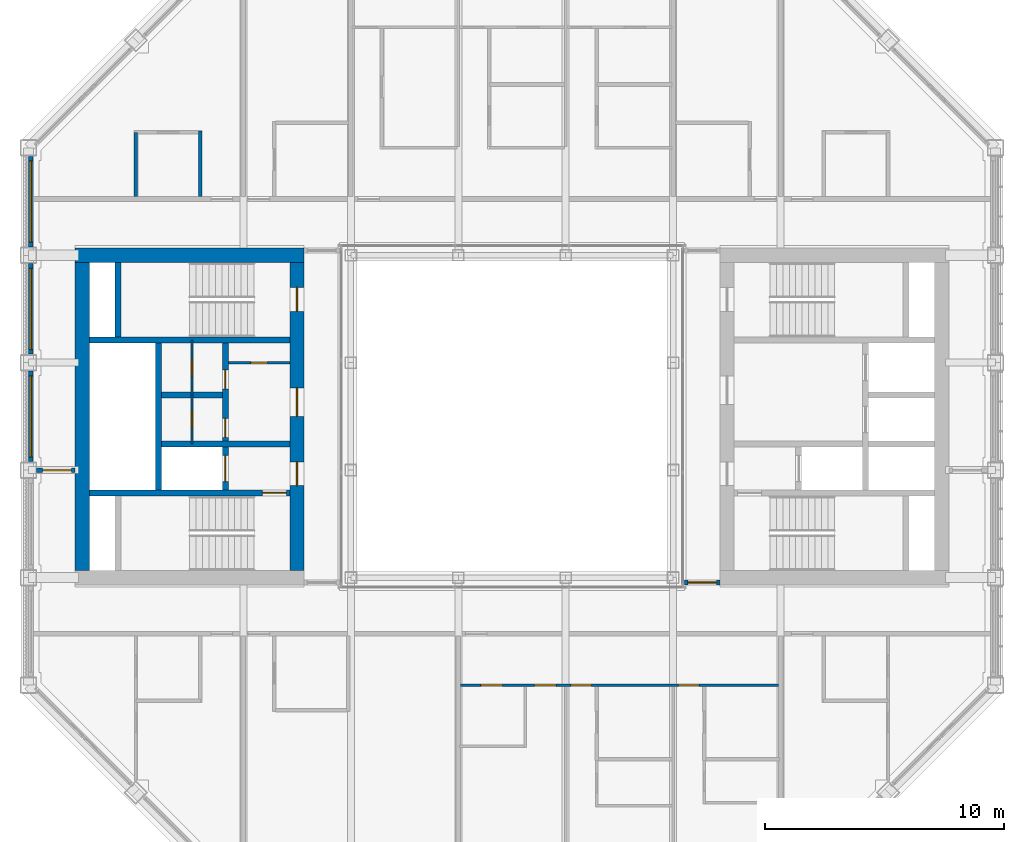
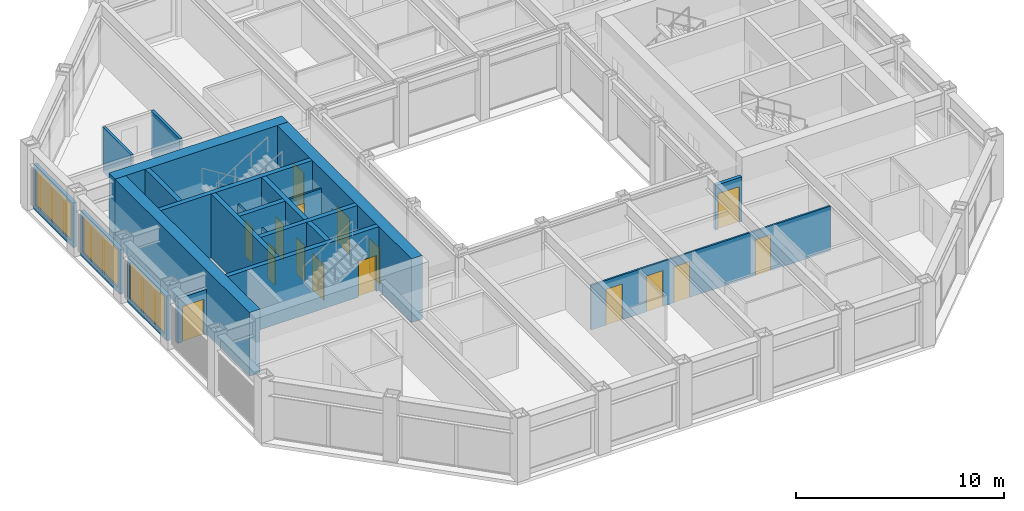
# One storey, part 10 of 17: 21 walls, 16 doors, 3 windows, 19 openings.
"""IFC4 building model written with IfcOpenShell, lengths in metres."""

from ifc_helpers import new_model, si_unit, direction, frame, frame_2d, origin, place, context, subcontext, project, spatial, rectangle, extrude, material, layer, layer_set, type_object, element, fill, save


model = new_model("IFC4")

# Units and contexts
model_context = context("Model", 3, precision=1e-05, world=origin(), true_north=direction((0.0, 1.0)))
body_context = subcontext(model_context, "Body", "Model", "MODEL_VIEW")
ifc_project = project(units=[si_unit("LENGTHUNIT", "METRE"), si_unit("AREAUNIT", "SQUARE_METRE"), si_unit("VOLUMEUNIT", "CUBIC_METRE"), si_unit("PLANEANGLEUNIT", "RADIAN"), si_unit("MASSUNIT", "GRAM", prefix="KILO")], contexts=[model_context])

# Site, building, storey
site_placement = place(None, origin())
site = spatial("IfcSite", under=ifc_project, at=site_placement, CompositionType="ELEMENT")
building_placement = place(site_placement, origin())
building = spatial("IfcBuilding", under=site, at=building_placement, Name="Msasa Ring Tower", CompositionType="ELEMENT")
storey_placement = place(building_placement, frame((0.0, 0.0, 242.050048828125)))
storey = spatial("IfcBuildingStorey", under=building, at=storey_placement, Name="L63", CompositionType="ELEMENT", Elevation=242.050048828125)

# Wall
ifc_material_1 = material(Name="Concrete C60/75", Category="concrete")
ifc_layer_1 = layer(ifc_material_1, 0.60009765625)
ifc_layer_set_1 = layer_set([ifc_layer_1], Name="CW3 CORE WALL 600")
wall_type_1 = type_object("IfcWallType", Name="CW3 CORE WALL 600", PredefinedType="SHEAR", material=ifc_layer_set_1)
wall_1_placement = place(storey_placement, frame((-8.699951171875, 6.75, 0.0), z_axis=(0.0, 0.0, 1.0), x_axis=(-1.0, 0.0, 0.0)))
element("IfcWall", 1, at=wall_1_placement, inside=storey, type_object=wall_type_1, Name="W core wall N L63", PredefinedType="SHEAR", context=body_context, shape_type="SweptSolid", body=[
    extrude(rectangle(XDim=9.60009765625, YDim=0.60009765625, at=frame_2d((4.800048828125, 0.0))), origin(), (0.0, 0.0, 1.0), 3.75),
])

# Wall, openings, doors
wall_2_placement = place(storey_placement, frame((-9.0, -6.449951171875, 0.0), z_axis=(0.0, 0.0, 1.0), x_axis=(0.0, 1.0, 0.0)))
wall_2 = element("IfcWall", 2, at=wall_2_placement, inside=storey, type_object=wall_type_1, Name="W core wall W L63", PredefinedType="SHEAR", context=body_context, shape_type="SweptSolid", body=[
    extrude(rectangle(XDim=12.89990234375, YDim=0.60009765625, at=frame_2d((6.449951171875, 0.0))), origin(), (0.0, 0.0, 1.0), 3.75),
])
opening_1_placement = place(wall_2_placement, frame((3.550048828125, 0.0, 0.0)))
opening_1 = element("IfcOpeningElement", 3, at=opening_1_placement, cuts=wall_2, Name="Opening SD-031", PredefinedType="OPENING", context=body_context, shape_type="SweptSolid", body=[
    extrude(rectangle(XDim=1.0, YDim=2.10009765625, at=frame_2d((0.5, 1.050048828125))), frame((0.0, 0.31005859375, 0.0), z_axis=(0.0, -1.0, 0.0), x_axis=(1.0, 0.0, 0.0)), (0.0, 0.0, 1.0), 0.6201171875),
])
opening_2_placement = place(wall_2_placement, frame((6.449951171875, 0.0, 0.0)))
opening_2 = element("IfcOpeningElement", 4, at=opening_2_placement, cuts=wall_2, Name="Opening SD-026", PredefinedType="OPENING", context=body_context, shape_type="SweptSolid", body=[
    extrude(rectangle(XDim=1.199951171875, YDim=2.10009765625, at=frame_2d((0.60009765625, 1.050048828125))), frame((0.0, 0.31005859375, 0.0), z_axis=(0.0, -1.0, 0.0), x_axis=(1.0, 0.0, 0.0)), (0.0, 0.0, 1.0), 0.6201171875),
])
opening_3_placement = place(wall_2_placement, frame((10.85009765625, 0.0, 0.0)))
opening_3 = element("IfcOpeningElement", 5, at=opening_3_placement, cuts=wall_2, Name="Opening SD-020", PredefinedType="OPENING", context=body_context, shape_type="SweptSolid", body=[
    extrude(rectangle(XDim=1.0, YDim=2.10009765625, at=frame_2d((0.5, 1.050048828125))), frame((0.0, 0.31005859375, 0.0), z_axis=(0.0, -1.0, 0.0), x_axis=(1.0, 0.0, 0.0)), (0.0, 0.0, 1.0), 0.6201171875),
])
ifc_material_2 = material(Name="Timber door leaf in a steel frame", Category="steel")
door_type_1 = type_object("IfcDoorType", Name="D4 LOBBY DOOR 1000x2100", OperationType="SINGLE_SWING_LEFT", PredefinedType="DOOR", material=ifc_material_2)
door_1_placement = place(opening_1_placement, origin())
door_1 = element("IfcDoor", 6, at=door_1_placement, inside=storey, type_object=door_type_1, Name="Door L63-WFFL", OperationType="SINGLE_SWING_LEFT", OverallHeight=2.10009765625, OverallWidth=1.0, PredefinedType="DOOR", context=body_context, shape_type="SweptSolid", body=[
    extrude(rectangle(XDim=1.0, YDim=2.10009765625, at=frame_2d((0.5, 1.050048828125))), frame((0.0, 0.02490234375, 0.0), z_axis=(0.0, -1.0, 0.0), x_axis=(1.0, 0.0, 0.0)), (0.0, 0.0, 1.0), 0.050048828125),
])
fill(opening_1, door_1)
ifc_material_3 = material(Name="Timber door leaf in a steel frame", Category="steel")
door_type_2 = type_object("IfcDoorType", Name="D5 WIDE LOBBY DOOR 1200x2100", OperationType="SINGLE_SWING_LEFT", PredefinedType="DOOR", material=ifc_material_3)
door_2_placement = place(opening_2_placement, origin())
door_2 = element("IfcDoor", 7, at=door_2_placement, inside=storey, type_object=door_type_2, Name="Door L63-WLL", OperationType="SINGLE_SWING_RIGHT", OverallHeight=2.10009765625, OverallWidth=1.199951171875, PredefinedType="DOOR", context=body_context, shape_type="SweptSolid", body=[
    extrude(rectangle(XDim=1.199951171875, YDim=2.10009765625, at=frame_2d((0.60009765625, 1.050048828125))), frame((0.0, 0.02490234375, 0.0), z_axis=(0.0, -1.0, 0.0), x_axis=(1.0, 0.0, 0.0)), (0.0, 0.0, 1.0), 0.050048828125),
])
fill(opening_2, door_2)
ifc_material_4 = material(Name="Timber door leaf in a steel frame", Category="steel")
door_type_3 = type_object("IfcDoorType", Name="D6 STAIR DOOR 1000x2100", OperationType="SINGLE_SWING_LEFT", PredefinedType="DOOR", material=ifc_material_4)
door_3_placement = place(opening_3_placement, origin())
door_3 = element("IfcDoor", 8, at=door_3_placement, inside=storey, type_object=door_type_3, Name="Door L63-WSTB", OperationType="SINGLE_SWING_RIGHT", OverallHeight=2.10009765625, OverallWidth=1.0, PredefinedType="DOOR", context=body_context, shape_type="SweptSolid", body=[
    extrude(rectangle(XDim=1.0, YDim=2.10009765625, at=frame_2d((0.5, 1.050048828125))), frame((0.0, 0.02490234375, 0.0), z_axis=(0.0, -1.0, 0.0), x_axis=(1.0, 0.0, 0.0)), (0.0, 0.0, 1.0), 0.050048828125),
])
fill(opening_3, door_3)

# Wall
wall_3_placement = place(storey_placement, frame((-18.0, -6.449951171875, 0.0), z_axis=(0.0, 0.0, 1.0), x_axis=(0.0, 1.0, 0.0)))
element("IfcWall", 9, at=wall_3_placement, inside=storey, type_object=wall_type_1, Name="W core wall E L63", PredefinedType="SHEAR", context=body_context, shape_type="SweptSolid", body=[
    extrude(rectangle(XDim=12.89990234375, YDim=0.60009765625, at=frame_2d((6.449951171875, 0.0))), origin(), (0.0, 0.0, 1.0), 3.75),
])

# Wall, opening, door
ifc_material_5 = material(Name="Concrete C60/75", Category="concrete")
ifc_layer_2 = layer(ifc_material_5, 0.25)
ifc_layer_set_2 = layer_set([ifc_layer_2], Name="CW4 CORE INNER WALL 250")
wall_type_2 = type_object("IfcWallType", Name="CW4 CORE INNER WALL 250", PredefinedType="SHEAR", material=ifc_layer_set_2)
wall_4_placement = place(storey_placement, frame((-9.300048828125, -3.199951171875, 0.0), z_axis=(0.0, 0.0, 1.0), x_axis=(-1.0, 0.0, 0.0)))
wall_4 = element("IfcWall", 10, at=wall_4_placement, inside=storey, type_object=wall_type_2, Name="W core wall STAIRA L63", PredefinedType="SHEAR", context=body_context, shape_type="SweptSolid", body=[
    extrude(rectangle(XDim=8.39990234375, YDim=0.25, at=frame_2d((4.199951171875, 0.0))), origin(), (0.0, 0.0, 1.0), 3.75),
])
opening_4_placement = place(wall_4_placement, frame((0.14990234375, 0.0, 0.0)))
opening_4 = element("IfcOpeningElement", 11, at=opening_4_placement, cuts=wall_4, Name="Opening SD-033", PredefinedType="OPENING", context=body_context, shape_type="SweptSolid", body=[
    extrude(rectangle(XDim=1.0, YDim=2.10009765625, at=frame_2d((0.5, 1.050048828125))), frame((0.0, 0.135009765625, 0.0), z_axis=(0.0, -1.0, 0.0), x_axis=(1.0, 0.0, 0.0)), (0.0, 0.0, 1.0), 0.27001953125),
])
door_4_placement = place(opening_4_placement, origin())
door_4 = element("IfcDoor", 12, at=door_4_placement, inside=storey, type_object=door_type_3, Name="Door L63-WSTA", OperationType="SINGLE_SWING_LEFT", OverallHeight=2.10009765625, OverallWidth=1.0, PredefinedType="DOOR", context=body_context, shape_type="SweptSolid", body=[
    extrude(rectangle(XDim=1.0, YDim=2.10009765625, at=frame_2d((0.5, 1.050048828125))), frame((0.0, 0.02490234375, 0.0), z_axis=(0.0, -1.0, 0.0), x_axis=(1.0, 0.0, 0.0)), (0.0, 0.0, 1.0), 0.050048828125),
])
fill(opening_4, door_4)

# Walls
wall_5_placement = place(storey_placement, frame((-9.300048828125, 3.199951171875, 0.0), z_axis=(0.0, 0.0, 1.0), x_axis=(-1.0, 0.0, 0.0)))
element("IfcWall", 13, at=wall_5_placement, inside=storey, type_object=wall_type_2, Name="W core wall STAIRB L63", PredefinedType="SHEAR", context=body_context, shape_type="SweptSolid", body=[
    extrude(rectangle(XDim=8.39990234375, YDim=0.25, at=frame_2d((4.199951171875, 0.0))), origin(), (0.0, 0.0, 1.0), 3.75),
])
wall_6_placement = place(storey_placement, frame((-16.5, 3.324951171875, 0.0), z_axis=(0.0, 0.0, 1.0), x_axis=(0.0, 1.0, 0.0)))
element("IfcWall", 14, at=wall_6_placement, inside=storey, type_object=wall_type_2, Name="W core wall RISERB L63", PredefinedType="SHEAR", context=body_context, shape_type="SweptSolid", body=[
    extrude(rectangle(XDim=3.125, YDim=0.25, at=frame_2d((1.5625, 0.0))), origin(), (0.0, 0.0, 1.0), 3.75),
])
wall_7_placement = place(storey_placement, frame((-9.300048828125, -1.14990234375, 0.0), z_axis=(0.0, 0.0, 1.0), x_axis=(-1.0, 0.0, 0.0)))
element("IfcWall", 15, at=wall_7_placement, inside=storey, type_object=wall_type_2, Name="W core wall FFL L63", PredefinedType="SHEAR", context=body_context, shape_type="SweptSolid", body=[
    extrude(rectangle(XDim=5.375, YDim=0.25, at=frame_2d((2.6875, 0.0))), origin(), (0.0, 0.0, 1.0), 3.75),
])

# Wall, openings, doors
wall_8_placement = place(storey_placement, frame((-12.0, -3.074951171875, 0.0), z_axis=(0.0, 0.0, 1.0), x_axis=(0.0, 1.0, 0.0)))
wall_8 = element("IfcWall", 16, at=wall_8_placement, inside=storey, type_object=wall_type_2, Name="W core wall LOBBY L63", PredefinedType="SHEAR", context=body_context, shape_type="SweptSolid", body=[
    extrude(rectangle(XDim=6.14990234375, YDim=0.25, at=frame_2d((3.074951171875, 0.0))), origin(), (0.0, 0.0, 1.0), 3.75),
])
opening_5_placement = place(wall_8_placement, frame((2.199951171875, 0.0, 0.0)))
opening_5 = element("IfcOpeningElement", 17, at=opening_5_placement, cuts=wall_8, Name="Opening SD-028", PredefinedType="OPENING", context=body_context, shape_type="SweptSolid", body=[
    extrude(rectangle(XDim=0.800048828125, YDim=2.10009765625, at=frame_2d((0.39990234375, 1.050048828125))), frame((0.0, 0.135009765625, 0.0), z_axis=(0.0, -1.0, 0.0), x_axis=(1.0, 0.0, 0.0)), (0.0, 0.0, 1.0), 0.27001953125),
])
opening_6_placement = place(wall_8_placement, frame((4.22509765625, 0.0, 0.0)))
opening_6 = element("IfcOpeningElement", 18, at=opening_6_placement, cuts=wall_8, Name="Opening SD-024", PredefinedType="OPENING", context=body_context, shape_type="SweptSolid", body=[
    extrude(rectangle(XDim=0.800048828125, YDim=2.10009765625, at=frame_2d((0.39990234375, 1.050048828125))), frame((0.0, 0.135009765625, 0.0), z_axis=(0.0, -1.0, 0.0), x_axis=(1.0, 0.0, 0.0)), (0.0, 0.0, 1.0), 0.27001953125),
])
opening_7_placement = place(wall_8_placement, frame((0.35009765625, 0.0, 0.0)))
opening_7 = element("IfcOpeningElement", 19, at=opening_7_placement, cuts=wall_8, Name="Opening LD1", PredefinedType="OPENING", context=body_context, shape_type="SweptSolid", body=[
    extrude(rectangle(XDim=1.10009765625, YDim=2.10009765625, at=frame_2d((0.550048828125, 1.050048828125))), frame((0.0, 0.135009765625, 0.0), z_axis=(0.0, -1.0, 0.0), x_axis=(1.0, 0.0, 0.0)), (0.0, 0.0, 1.0), 0.27001953125),
])
ifc_material_6 = material(Name="Timber door leaf in a steel frame", Category="steel")
door_type_4 = type_object("IfcDoorType", Name="D9 NARROW SERVICE DOOR 800x2100", OperationType="SINGLE_SWING_LEFT", PredefinedType="DOOR", material=ifc_material_6)
door_5_placement = place(opening_5_placement, origin())
door_5 = element("IfcDoor", 20, at=door_5_placement, inside=storey, type_object=door_type_4, Name="Door L63-WR1", OperationType="SINGLE_SWING_LEFT", OverallHeight=2.10009765625, OverallWidth=0.800048828125, PredefinedType="DOOR", context=body_context, shape_type="SweptSolid", body=[
    extrude(rectangle(XDim=0.800048828125, YDim=2.10009765625, at=frame_2d((0.39990234375, 1.050048828125))), frame((0.0, 0.02490234375, 0.0), z_axis=(0.0, -1.0, 0.0), x_axis=(1.0, 0.0, 0.0)), (0.0, 0.0, 1.0), 0.050048828125),
])
fill(opening_5, door_5)
door_6_placement = place(opening_6_placement, origin())
door_6 = element("IfcDoor", 21, at=door_6_placement, inside=storey, type_object=door_type_4, Name="Door L63-WR2", OperationType="SINGLE_SWING_RIGHT", OverallHeight=2.10009765625, OverallWidth=0.800048828125, PredefinedType="DOOR", context=body_context, shape_type="SweptSolid", body=[
    extrude(rectangle(XDim=0.800048828125, YDim=2.10009765625, at=frame_2d((0.39990234375, 1.050048828125))), frame((0.0, 0.02490234375, 0.0), z_axis=(0.0, -1.0, 0.0), x_axis=(1.0, 0.0, 0.0)), (0.0, 0.0, 1.0), 0.050048828125),
])
fill(opening_6, door_6)
ifc_material_7 = material(Name="Stainless steel lift landing door", Category="steel")
door_type_5 = type_object("IfcDoorType", Name="LD1 LIFT LANDING DOOR 1100x2100", OperationType="DOUBLE_DOOR_SLIDING", PredefinedType="DOOR", material=ifc_material_7)
door_7_placement = place(opening_7_placement, origin())
door_7 = element("IfcDoor", 22, at=door_7_placement, inside=storey, type_object=door_type_5, Name="Lift landing door FL-W L63", OperationType="DOUBLE_DOOR_SLIDING", OverallHeight=2.10009765625, OverallWidth=1.10009765625, PredefinedType="DOOR", context=body_context, shape_type="SweptSolid", body=[
    extrude(rectangle(XDim=1.10009765625, YDim=2.10009765625, at=frame_2d((0.550048828125, 1.050048828125))), frame((0.0, 0.02490234375, 0.0), z_axis=(0.0, -1.0, 0.0), x_axis=(1.0, 0.0, 0.0)), (0.0, 0.0, 1.0), 0.050048828125),
])
fill(opening_7, door_7)

# Walls
wall_9_placement = place(storey_placement, frame((-14.800048828125, -3.074951171875, 0.0), z_axis=(0.0, 0.0, 1.0), x_axis=(0.0, 1.0, 0.0)))
element("IfcWall", 23, at=wall_9_placement, inside=storey, type_object=wall_type_2, Name="W core wall SHAFT L63", PredefinedType="SHEAR", context=body_context, shape_type="SweptSolid", body=[
    extrude(rectangle(XDim=6.14990234375, YDim=0.25, at=frame_2d((3.074951171875, 0.0))), origin(), (0.0, 0.0, 1.0), 3.75),
])
wall_10_placement = place(storey_placement, frame((-12.125, 0.89990234375, 0.0), z_axis=(0.0, 0.0, 1.0), x_axis=(-1.0, 0.0, 0.0)))
element("IfcWall", 24, at=wall_10_placement, inside=storey, type_object=wall_type_2, Name="W core wall LIFT1 L63", PredefinedType="SHEAR", context=body_context, shape_type="SweptSolid", body=[
    extrude(rectangle(XDim=2.550048828125, YDim=0.25, at=frame_2d((1.27490234375, 0.0))), origin(), (0.0, 0.0, 1.0), 3.75),
])

# Wall, opening, window
ifc_material_8 = material(Name="Terracotta rainscreen on blockwork", Category="masonry")
ifc_layer_3 = layer(ifc_material_8, 0.199951171875)
ifc_layer_set_3 = layer_set([ifc_layer_3], Name="FW1 TERRACOTTA-LINED INFILL BAY WALL 200")
wall_type_3 = type_object("IfcWallType", Name="FW1 TERRACOTTA-LINED INFILL BAY WALL 200", PredefinedType="SOLIDWALL", material=ifc_layer_set_3)
wall_11_placement = place(storey_placement, frame((-20.14990234375, -1.89501953125, 0.0), z_axis=(0.0, 0.0, 1.0), x_axis=(0.0, 1.0, 0.0)))
wall_11 = element("IfcWall", 25, at=wall_11_placement, inside=storey, type_object=wall_type_3, Name="Infill bay wall W L63 23", PredefinedType="SOLIDWALL", context=body_context, shape_type="SweptSolid", body=[
    extrude(rectangle(XDim=3.7900390625, YDim=0.199951171875, at=frame_2d((1.89501953125, 0.0))), origin(), (0.0, 0.0, 1.0), 2.62890625),
])
opening_8_placement = place(wall_11_placement, frame((0.195068359375, 0.0, 0.300048828125)))
opening_8 = element("IfcOpeningElement", 26, at=opening_8_placement, cuts=wall_11, Name="Opening WN3", PredefinedType="OPENING", context=body_context, shape_type="SweptSolid", body=[
    extrude(rectangle(XDim=3.39990234375, YDim=2.178955078125, at=frame_2d((1.699951171875, 1.08935546875))), frame((0.0, 0.10986328125, 0.0), z_axis=(0.0, -1.0, 0.0), x_axis=(1.0, 0.0, 0.0)), (0.0, 0.0, 1.0), 0.219970703125),
])
ifc_material_9 = material(Name="Aluminium frame with clear glass", Category="aluminium")
window_type = type_object("IfcWindowType", Name="WN3 SUITE WINDOW 3400x2179", PartitioningType="SINGLE_PANEL", PredefinedType="WINDOW", material=ifc_material_9)
window_1_placement = place(opening_8_placement, origin())
window_1 = element("IfcWindow", 27, at=window_1_placement, inside=storey, type_object=window_type, Name="Window W L63 23", OverallHeight=2.178955078125, OverallWidth=3.39990234375, PartitioningType="SINGLE_PANEL", PredefinedType="WINDOW", context=body_context, shape_type="SweptSolid", body=[
    extrude(rectangle(XDim=3.39990234375, YDim=2.178955078125, at=frame_2d((1.699951171875, 1.08935546875))), frame((0.0, 0.030029296875, 0.0), z_axis=(0.0, -1.0, 0.0), x_axis=(1.0, 0.0, 0.0)), (0.0, 0.0, 1.0), 0.06005859375),
])
fill(opening_8, window_1)

wall_12_placement = place(storey_placement, frame((-20.14990234375, 2.60498046875, 0.0), z_axis=(0.0, 0.0, 1.0), x_axis=(0.0, 1.0, 0.0)))
wall_12 = element("IfcWall", 28, at=wall_12_placement, inside=storey, type_object=wall_type_3, Name="Infill bay wall W L63 24", PredefinedType="SOLIDWALL", context=body_context, shape_type="SweptSolid", body=[
    extrude(rectangle(XDim=3.7900390625, YDim=0.199951171875, at=frame_2d((1.89501953125, 0.0))), origin(), (0.0, 0.0, 1.0), 2.62890625),
])
opening_9_placement = place(wall_12_placement, frame((0.195068359375, 0.0, 0.300048828125)))
opening_9 = element("IfcOpeningElement", 29, at=opening_9_placement, cuts=wall_12, Name="Opening WN3", PredefinedType="OPENING", context=body_context, shape_type="SweptSolid", body=[
    extrude(rectangle(XDim=3.39990234375, YDim=2.178955078125, at=frame_2d((1.699951171875, 1.08935546875))), frame((0.0, 0.10986328125, 0.0), z_axis=(0.0, -1.0, 0.0), x_axis=(1.0, 0.0, 0.0)), (0.0, 0.0, 1.0), 0.219970703125),
])
window_2_placement = place(opening_9_placement, origin())
window_2 = element("IfcWindow", 30, at=window_2_placement, inside=storey, type_object=window_type, Name="Window W L63 24", OverallHeight=2.178955078125, OverallWidth=3.39990234375, PartitioningType="SINGLE_PANEL", PredefinedType="WINDOW", context=body_context, shape_type="SweptSolid", body=[
    extrude(rectangle(XDim=3.39990234375, YDim=2.178955078125, at=frame_2d((1.699951171875, 1.08935546875))), frame((0.0, 0.030029296875, 0.0), z_axis=(0.0, -1.0, 0.0), x_axis=(1.0, 0.0, 0.0)), (0.0, 0.0, 1.0), 0.06005859375),
])
fill(opening_9, window_2)

wall_13_placement = place(storey_placement, frame((-20.14990234375, 7.10498046875, 0.0), z_axis=(0.0, 0.0, 1.0), x_axis=(0.0, 1.0, 0.0)))
wall_13 = element("IfcWall", 31, at=wall_13_placement, inside=storey, type_object=wall_type_3, Name="Infill bay wall W L63 25", PredefinedType="SOLIDWALL", context=body_context, shape_type="SweptSolid", body=[
    extrude(rectangle(XDim=3.7900390625, YDim=0.199951171875, at=frame_2d((1.89501953125, 0.0))), origin(), (0.0, 0.0, 1.0), 2.62890625),
])
opening_10_placement = place(wall_13_placement, frame((0.195068359375, 0.0, 0.300048828125)))
opening_10 = element("IfcOpeningElement", 32, at=opening_10_placement, cuts=wall_13, Name="Opening WN3", PredefinedType="OPENING", context=body_context, shape_type="SweptSolid", body=[
    extrude(rectangle(XDim=3.39990234375, YDim=2.178955078125, at=frame_2d((1.699951171875, 1.08935546875))), frame((0.0, 0.10986328125, 0.0), z_axis=(0.0, -1.0, 0.0), x_axis=(1.0, 0.0, 0.0)), (0.0, 0.0, 1.0), 0.219970703125),
])
window_3_placement = place(opening_10_placement, origin())
window_3 = element("IfcWindow", 33, at=window_3_placement, inside=storey, type_object=window_type, Name="Window W L63 25", OverallHeight=2.178955078125, OverallWidth=3.39990234375, PartitioningType="SINGLE_PANEL", PredefinedType="WINDOW", context=body_context, shape_type="SweptSolid", body=[
    extrude(rectangle(XDim=3.39990234375, YDim=2.178955078125, at=frame_2d((1.699951171875, 1.08935546875))), frame((0.0, 0.030029296875, 0.0), z_axis=(0.0, -1.0, 0.0), x_axis=(1.0, 0.0, 0.0)), (0.0, 0.0, 1.0), 0.06005859375),
])
fill(opening_10, window_3)

# Wall, opening, door
ifc_material_10 = material(Name="Concrete blockwork", Category="masonry")
ifc_layer_4 = layer(ifc_material_10, 0.199951171875)
ifc_layer_set_4 = layer_set([ifc_layer_4], Name="PT1 CORRIDOR WALL 200")
wall_type_4 = type_object("IfcWallType", Name="PT1 CORRIDOR WALL 200", PredefinedType="PARTITIONING", material=ifc_layer_set_4)
wall_14_placement = place(storey_placement, frame((-19.89990234375, -2.25, 0.0), z_axis=(0.0, 0.0, 1.0), x_axis=(1.0, 0.0, 0.0)))
wall_14 = element("IfcWall", 34, at=wall_14_placement, inside=storey, type_object=wall_type_4, Name="Corridor wall L63-WSW", PredefinedType="PARTITIONING", context=body_context, shape_type="SweptSolid", body=[
    extrude(rectangle(XDim=1.599853515625, YDim=0.199951171875, at=frame_2d((0.7998046875, 0.0))), origin(), (0.0, 0.0, 1.0), 2.62890625),
])
opening_11_placement = place(wall_14_placement, frame((0.25, 0.0, 0.0)))
opening_11 = element("IfcOpeningElement", 35, at=opening_11_placement, cuts=wall_14, Name="Opening SD-029", PredefinedType="OPENING", context=body_context, shape_type="SweptSolid", body=[
    extrude(rectangle(XDim=1.199951171875, YDim=2.10009765625, at=frame_2d((0.60009765625, 1.050048828125))), frame((0.0, 0.10986328125, 0.0), z_axis=(0.0, -1.0, 0.0), x_axis=(1.0, 0.0, 0.0)), (0.0, 0.0, 1.0), 0.219970703125),
])
ifc_material_11 = material(Name="Timber door leaf in a steel frame", Category="steel")
door_type_6 = type_object("IfcDoorType", Name="D25 CORRIDOR PAIR OF SMOKE DOORS 1200x2100", OperationType="DOUBLE_DOOR_DOUBLE_SWING", PredefinedType="DOOR", material=ifc_material_11)
door_8_placement = place(opening_11_placement, origin())
door_8 = element("IfcDoor", 36, at=door_8_placement, inside=storey, type_object=door_type_6, Name="Door L63-WSW", OperationType="DOUBLE_DOOR_DOUBLE_SWING", OverallHeight=2.10009765625, OverallWidth=1.199951171875, PredefinedType="DOOR", context=body_context, shape_type="SweptSolid", body=[
    extrude(rectangle(XDim=1.199951171875, YDim=2.10009765625, at=frame_2d((0.60009765625, 1.050048828125))), frame((0.0, 0.02490234375, 0.0), z_axis=(0.0, -1.0, 0.0), x_axis=(1.0, 0.0, 0.0)), (0.0, 0.0, 1.0), 0.050048828125),
])
fill(opening_11, door_8)

wall_15_placement = place(storey_placement, frame((7.22998046875, -6.949951171875, 0.0), z_axis=(0.0, 0.0, 1.0), x_axis=(1.0, 0.0, 0.0)))
wall_15 = element("IfcWall", 37, at=wall_15_placement, inside=storey, type_object=wall_type_4, Name="Corridor wall L63-SDES", PredefinedType="PARTITIONING", context=body_context, shape_type="SweptSolid", body=[
    extrude(rectangle(XDim=1.469970703125, YDim=0.199951171875, at=frame_2d((0.73486328125, 0.0))), origin(), (0.0, 0.0, 1.0), 2.62890625),
])
opening_12_placement = place(wall_15_placement, frame((0.135009765625, 0.0, 0.0)))
opening_12 = element("IfcOpeningElement", 38, at=opening_12_placement, cuts=wall_15, Name="Opening SD-036", PredefinedType="OPENING", context=body_context, shape_type="SweptSolid", body=[
    extrude(rectangle(XDim=1.199951171875, YDim=2.10009765625, at=frame_2d((0.60009765625, 1.050048828125))), frame((0.0, 0.10986328125, 0.0), z_axis=(0.0, -1.0, 0.0), x_axis=(1.0, 0.0, 0.0)), (0.0, 0.0, 1.0), 0.219970703125),
])
door_9_placement = place(opening_12_placement, origin())
door_9 = element("IfcDoor", 39, at=door_9_placement, inside=storey, type_object=door_type_6, Name="Door L63-SDES", OperationType="DOUBLE_DOOR_DOUBLE_SWING", OverallHeight=2.10009765625, OverallWidth=1.199951171875, PredefinedType="DOOR", context=body_context, shape_type="SweptSolid", body=[
    extrude(rectangle(XDim=1.199951171875, YDim=2.10009765625, at=frame_2d((0.60009765625, 1.050048828125))), frame((0.0, 0.02490234375, 0.0), z_axis=(0.0, -1.0, 0.0), x_axis=(1.0, 0.0, 0.0)), (0.0, 0.0, 1.0), 0.050048828125),
])
fill(opening_12, door_9)

# Wall, openings, doors
ifc_material_12 = material(Name="Gypsum board on steel studs", Category="steel")
ifc_layer_5 = layer(ifc_material_12, 0.10009765625)
ifc_layer_set_5 = layer_set([ifc_layer_5], Name="PT2 STUD PARTITION 100")
wall_type_5 = type_object("IfcWallType", Name="PT2 STUD PARTITION 100", PredefinedType="PARTITIONING", material=ifc_layer_set_5)
wall_16_placement = place(storey_placement, frame((-2.14990234375, -11.25, 0.0), z_axis=(0.0, 0.0, 1.0), x_axis=(1.0, 0.0, 0.0)))
wall_16 = element("IfcWall", 40, at=wall_16_placement, inside=storey, type_object=wall_type_5, Name="Partition L63-JS01HY", PredefinedType="PARTITIONING", context=body_context, shape_type="SweptSolid", body=[
    extrude(rectangle(XDim=13.2998046875, YDim=0.10009765625, at=frame_2d((6.64990234375, 0.0))), origin(), (0.0, 0.0, 1.0), 2.62890625),
])
opening_13_placement = place(wall_16_placement, frame((0.85009765625, 0.0, 0.0)))
opening_13 = element("IfcOpeningElement", 41, at=opening_13_placement, cuts=wall_16, Name="Opening SD-044", PredefinedType="OPENING", context=body_context, shape_type="SweptSolid", body=[
    extrude(rectangle(XDim=0.89990234375, YDim=2.10009765625, at=frame_2d((0.449951171875, 1.050048828125))), frame((0.0, 0.06005859375, 0.0), z_axis=(0.0, -1.0, 0.0), x_axis=(1.0, 0.0, 0.0)), (0.0, 0.0, 1.0), 0.1201171875),
])
opening_14_placement = place(wall_16_placement, frame((3.10009765625, 0.0, 0.0)))
opening_14 = element("IfcOpeningElement", 42, at=opening_14_placement, cuts=wall_16, Name="Opening SD-045", PredefinedType="OPENING", context=body_context, shape_type="SweptSolid", body=[
    extrude(rectangle(XDim=0.89990234375, YDim=2.10009765625, at=frame_2d((0.449951171875, 1.050048828125))), frame((0.0, 0.06005859375, 0.0), z_axis=(0.0, -1.0, 0.0), x_axis=(1.0, 0.0, 0.0)), (0.0, 0.0, 1.0), 0.1201171875),
])
opening_15_placement = place(wall_16_placement, frame((4.625, 0.0, 0.0)))
opening_15 = element("IfcOpeningElement", 43, at=opening_15_placement, cuts=wall_16, Name="Opening SD-046", PredefinedType="OPENING", context=body_context, shape_type="SweptSolid", body=[
    extrude(rectangle(XDim=0.85009765625, YDim=2.10009765625, at=frame_2d((0.425048828125, 1.050048828125))), frame((0.0, 0.06005859375, 0.0), z_axis=(0.0, -1.0, 0.0), x_axis=(1.0, 0.0, 0.0)), (0.0, 0.0, 1.0), 0.1201171875),
])
opening_16_placement = place(wall_16_placement, frame((9.125, 0.0, 0.0)))
opening_16 = element("IfcOpeningElement", 44, at=opening_16_placement, cuts=wall_16, Name="Opening SD-047", PredefinedType="OPENING", context=body_context, shape_type="SweptSolid", body=[
    extrude(rectangle(XDim=0.85009765625, YDim=2.10009765625, at=frame_2d((0.425048828125, 1.050048828125))), frame((0.0, 0.06005859375, 0.0), z_axis=(0.0, -1.0, 0.0), x_axis=(1.0, 0.0, 0.0)), (0.0, 0.0, 1.0), 0.1201171875),
])
ifc_material_13 = material(Name="Timber door leaf in a steel frame", Category="steel")
door_type_7 = type_object("IfcDoorType", Name="D14 BEDROOM DOOR 850x2100", OperationType="SINGLE_SWING_LEFT", PredefinedType="DOOR", material=ifc_material_13)
door_10_placement = place(opening_15_placement, origin())
door_10 = element("IfcDoor", 45, at=door_10_placement, inside=storey, type_object=door_type_7, Name="Door L63-JS01R1", OperationType="SINGLE_SWING_LEFT", OverallHeight=2.10009765625, OverallWidth=0.85009765625, PredefinedType="DOOR", context=body_context, shape_type="SweptSolid", body=[
    extrude(rectangle(XDim=0.85009765625, YDim=2.10009765625, at=frame_2d((0.425048828125, 1.050048828125))), frame((0.0, 0.02490234375, 0.0), z_axis=(0.0, -1.0, 0.0), x_axis=(1.0, 0.0, 0.0)), (0.0, 0.0, 1.0), 0.050048828125),
])
fill(opening_15, door_10)
door_11_placement = place(opening_16_placement, origin())
door_11 = element("IfcDoor", 46, at=door_11_placement, inside=storey, type_object=door_type_7, Name="Door L63-JS01R2", OperationType="SINGLE_SWING_RIGHT", OverallHeight=2.10009765625, OverallWidth=0.85009765625, PredefinedType="DOOR", context=body_context, shape_type="SweptSolid", body=[
    extrude(rectangle(XDim=0.85009765625, YDim=2.10009765625, at=frame_2d((0.425048828125, 1.050048828125))), frame((0.0, 0.02490234375, 0.0), z_axis=(0.0, -1.0, 0.0), x_axis=(1.0, 0.0, 0.0)), (0.0, 0.0, 1.0), 0.050048828125),
])
fill(opening_16, door_11)
ifc_material_14 = material(Name="Timber door leaf in a steel frame", Category="steel")
door_type_8 = type_object("IfcDoorType", Name="D22 INTERNAL HALL DOOR 900x2100", OperationType="SINGLE_SWING_LEFT", PredefinedType="DOOR", material=ifc_material_14)
door_12_placement = place(opening_13_placement, origin())
door_12 = element("IfcDoor", 47, at=door_12_placement, inside=storey, type_object=door_type_8, Name="Door L63-JS01K", OperationType="SINGLE_SWING_LEFT", OverallHeight=2.10009765625, OverallWidth=0.89990234375, PredefinedType="DOOR", context=body_context, shape_type="SweptSolid", body=[
    extrude(rectangle(XDim=0.89990234375, YDim=2.10009765625, at=frame_2d((0.449951171875, 1.050048828125))), frame((0.0, 0.02490234375, 0.0), z_axis=(0.0, -1.0, 0.0), x_axis=(1.0, 0.0, 0.0)), (0.0, 0.0, 1.0), 0.050048828125),
])
fill(opening_13, door_12)
door_13_placement = place(opening_14_placement, origin())
door_13 = element("IfcDoor", 48, at=door_13_placement, inside=storey, type_object=door_type_8, Name="Door L63-JS01L", OperationType="SINGLE_SWING_LEFT", OverallHeight=2.10009765625, OverallWidth=0.89990234375, PredefinedType="DOOR", context=body_context, shape_type="SweptSolid", body=[
    extrude(rectangle(XDim=0.89990234375, YDim=2.10009765625, at=frame_2d((0.449951171875, 1.050048828125))), frame((0.0, 0.02490234375, 0.0), z_axis=(0.0, -1.0, 0.0), x_axis=(1.0, 0.0, 0.0)), (0.0, 0.0, 1.0), 0.050048828125),
])
fill(opening_14, door_13)

# Wall, opening, door
wall_17_placement = place(storey_placement, frame((-11.875, 2.25, 0.0), z_axis=(0.0, 0.0, 1.0), x_axis=(1.0, 0.0, 0.0)))
wall_17 = element("IfcWall", 49, at=wall_17_placement, inside=storey, type_object=wall_type_5, Name="Partition L63-WCP", PredefinedType="PARTITIONING", context=body_context, shape_type="SweptSolid", body=[
    extrude(rectangle(XDim=2.574951171875, YDim=0.10009765625, at=frame_2d((1.28759765625, 0.0))), origin(), (0.0, 0.0, 1.0), 2.62890625),
])
opening_17_placement = place(wall_17_placement, frame((0.9375, 0.0, 0.0)))
opening_17 = element("IfcOpeningElement", 50, at=opening_17_placement, cuts=wall_17, Name="Opening SD-022", PredefinedType="OPENING", context=body_context, shape_type="SweptSolid", body=[
    extrude(rectangle(XDim=0.699951171875, YDim=2.10009765625, at=frame_2d((0.35009765625, 1.050048828125))), frame((0.0, 0.06005859375, 0.0), z_axis=(0.0, -1.0, 0.0), x_axis=(1.0, 0.0, 0.0)), (0.0, 0.0, 1.0), 0.1201171875),
])
ifc_material_15 = material(Name="Timber door leaf in a steel frame", Category="steel")
door_type_9 = type_object("IfcDoorType", Name="D32 INTERNAL NARROW STORE DOOR 700x2100", OperationType="SINGLE_SWING_LEFT", PredefinedType="DOOR", material=ifc_material_15)
door_14_placement = place(opening_17_placement, origin())
door_14 = element("IfcDoor", 51, at=door_14_placement, inside=storey, type_object=door_type_9, Name="Door L63-WCP", OperationType="SINGLE_SWING_LEFT", OverallHeight=2.10009765625, OverallWidth=0.699951171875, PredefinedType="DOOR", context=body_context, shape_type="SweptSolid", body=[
    extrude(rectangle(XDim=0.699951171875, YDim=2.10009765625, at=frame_2d((0.35009765625, 1.050048828125))), frame((0.0, 0.02490234375, 0.0), z_axis=(0.0, -1.0, 0.0), x_axis=(1.0, 0.0, 0.0)), (0.0, 0.0, 1.0), 0.050048828125),
])
fill(opening_17, door_14)

wall_18_placement = place(storey_placement, frame((-13.39990234375, -1.14990234375, 0.0), z_axis=(0.0, 0.0, 1.0), x_axis=(0.0, 1.0, 0.0)))
wall_18 = element("IfcWall", 52, at=wall_18_placement, inside=storey, type_object=wall_type_5, Name="Partition L63-WRP1", PredefinedType="PARTITIONING", context=body_context, shape_type="SweptSolid", body=[
    extrude(rectangle(XDim=2.0498046875, YDim=0.10009765625, at=frame_2d((1.02490234375, 0.0))), origin(), (0.0, 0.0, 1.0), 2.62890625),
])
opening_18_placement = place(wall_18_placement, frame((0.675048828125, 0.0, 0.0)))
opening_18 = element("IfcOpeningElement", 53, at=opening_18_placement, cuts=wall_18, Name="Opening SD-027", PredefinedType="OPENING", context=body_context, shape_type="SweptSolid", body=[
    extrude(rectangle(XDim=0.699951171875, YDim=2.10009765625, at=frame_2d((0.35009765625, 1.050048828125))), frame((0.0, 0.06005859375, 0.0), z_axis=(0.0, -1.0, 0.0), x_axis=(1.0, 0.0, 0.0)), (0.0, 0.0, 1.0), 0.1201171875),
])
door_15_placement = place(opening_18_placement, origin())
door_15 = element("IfcDoor", 54, at=door_15_placement, inside=storey, type_object=door_type_9, Name="Door L63-WRC1", OperationType="SINGLE_SWING_LEFT", OverallHeight=2.10009765625, OverallWidth=0.699951171875, PredefinedType="DOOR", context=body_context, shape_type="SweptSolid", body=[
    extrude(rectangle(XDim=0.699951171875, YDim=2.10009765625, at=frame_2d((0.35009765625, 1.050048828125))), frame((0.0, 0.02490234375, 0.0), z_axis=(0.0, -1.0, 0.0), x_axis=(1.0, 0.0, 0.0)), (0.0, 0.0, 1.0), 0.050048828125),
])
fill(opening_18, door_15)

wall_19_placement = place(storey_placement, frame((-13.39990234375, 0.89990234375, 0.0), z_axis=(0.0, 0.0, 1.0), x_axis=(0.0, 1.0, 0.0)))
wall_19 = element("IfcWall", 55, at=wall_19_placement, inside=storey, type_object=wall_type_5, Name="Partition L63-WRP2", PredefinedType="PARTITIONING", context=body_context, shape_type="SweptSolid", body=[
    extrude(rectangle(XDim=2.300048828125, YDim=0.10009765625, at=frame_2d((1.14990234375, 0.0))), origin(), (0.0, 0.0, 1.0), 2.62890625),
])
opening_19_placement = place(wall_19_placement, frame((0.800048828125, 0.0, 0.0)))
opening_19 = element("IfcOpeningElement", 56, at=opening_19_placement, cuts=wall_19, Name="Opening SD-023", PredefinedType="OPENING", context=body_context, shape_type="SweptSolid", body=[
    extrude(rectangle(XDim=0.699951171875, YDim=2.10009765625, at=frame_2d((0.35009765625, 1.050048828125))), frame((0.0, 0.06005859375, 0.0), z_axis=(0.0, -1.0, 0.0), x_axis=(1.0, 0.0, 0.0)), (0.0, 0.0, 1.0), 0.1201171875),
])
door_16_placement = place(opening_19_placement, origin())
door_16 = element("IfcDoor", 57, at=door_16_placement, inside=storey, type_object=door_type_9, Name="Door L63-WRC2", OperationType="SINGLE_SWING_LEFT", OverallHeight=2.10009765625, OverallWidth=0.699951171875, PredefinedType="DOOR", context=body_context, shape_type="SweptSolid", body=[
    extrude(rectangle(XDim=0.699951171875, YDim=2.10009765625, at=frame_2d((0.35009765625, 1.050048828125))), frame((0.0, 0.02490234375, 0.0), z_axis=(0.0, -1.0, 0.0), x_axis=(1.0, 0.0, 0.0)), (0.0, 0.0, 1.0), 0.050048828125),
])
fill(opening_19, door_16)

# Walls
ifc_material_16 = material(Name="Moisture-resistant board on steel studs with a concealed cistern and pipe void, tiled", Category="steel")
ifc_layer_6 = layer(ifc_material_16, 0.14990234375)
ifc_layer_set_6 = layer_set([ifc_layer_6], Name="PT4 BATHROOM WET WALL 150")
wall_type_6 = type_object("IfcWallType", Name="PT4 BATHROOM WET WALL 150", PredefinedType="PARTITIONING", material=ifc_layer_set_6)
wall_20_placement = place(storey_placement, frame((-13.050048828125, 9.199951171875, 0.0), z_axis=(0.0, 0.0, 1.0), x_axis=(0.0, 1.0, 0.0)))
element("IfcWall", 58, at=wall_20_placement, inside=storey, type_object=wall_type_6, Name="Partition L63-CSNWBX", PredefinedType="PARTITIONING", context=body_context, shape_type="SweptSolid", body=[
    extrude(rectangle(XDim=2.75, YDim=0.14990234375, at=frame_2d((1.375, 0.0))), origin(), (0.0, 0.0, 1.0), 2.62890625),
])
wall_21_placement = place(storey_placement, frame((-15.75, 9.199951171875, 0.0), z_axis=(0.0, 0.0, 1.0), x_axis=(0.0, 1.0, 0.0)))
element("IfcWall", 59, at=wall_21_placement, inside=storey, type_object=wall_type_6, Name="Partition L63-CSNWBE", PredefinedType="PARTITIONING", context=body_context, shape_type="SweptSolid", body=[
    extrude(rectangle(XDim=2.699951171875, YDim=0.14990234375, at=frame_2d((1.35009765625, 0.0))), origin(), (0.0, 0.0, 1.0), 2.62890625),
])

save(model, "model.ifc")
